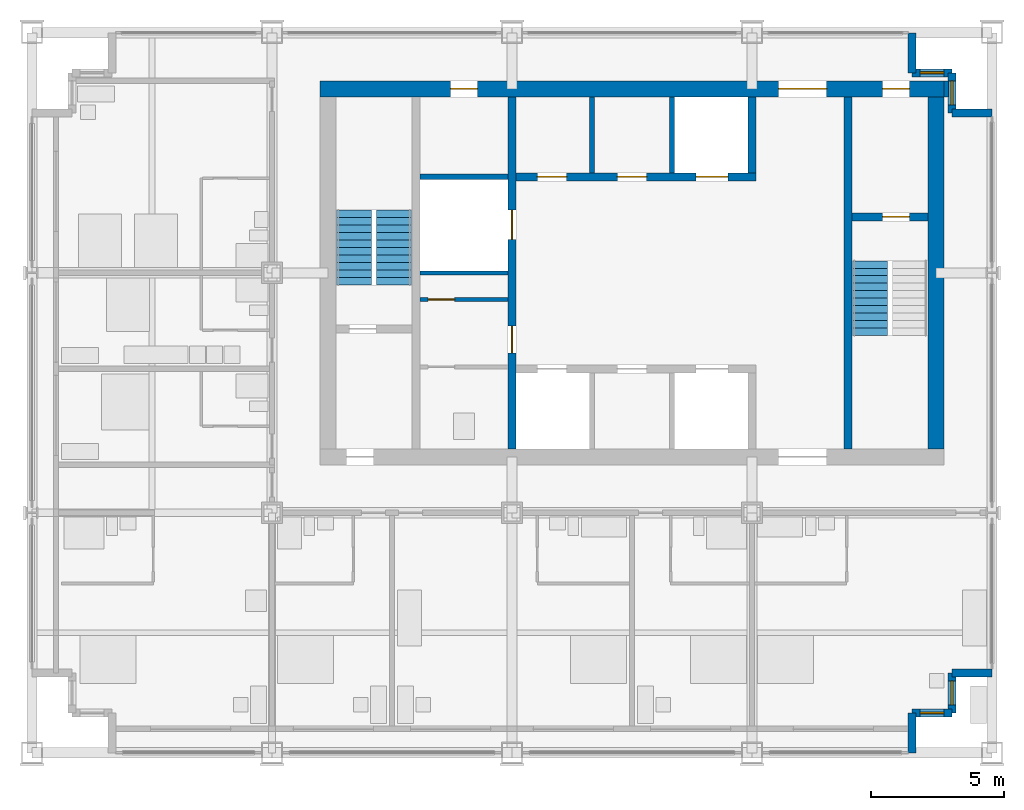
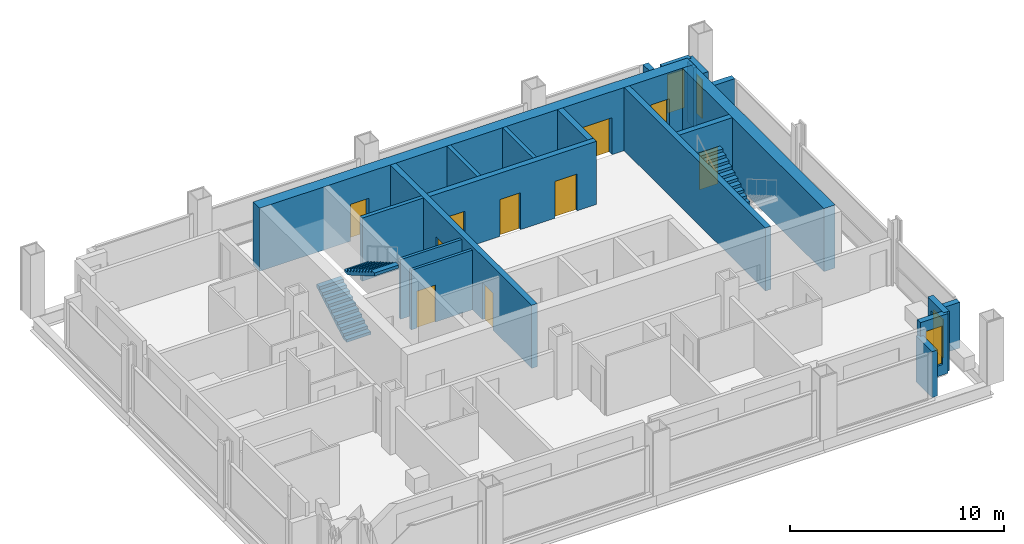
# One storey, part 8 of 12: 21 walls, 10 doors, 4 windows, 3 stair flights, 14 openings, 2 elements without a shape of their own.
"""IFC4 building model written with IfcOpenShell, lengths in metres."""

from ifc_helpers import new_model, si_unit, direction, frame, frame_2d, origin, place, context, subcontext, project, spatial, polyline, rectangle, outline, extrude, material, layer, layer_set, type_object, element, fill, aggregate, save


model = new_model("IFC4")

# Units and contexts
model_context = context("Model", 3, precision=1e-05, world=origin(), true_north=direction((0.0, 1.0)))
body_context = subcontext(model_context, "Body", "Model", "MODEL_VIEW")
ifc_project = project(units=[si_unit("LENGTHUNIT", "METRE"), si_unit("AREAUNIT", "SQUARE_METRE"), si_unit("VOLUMEUNIT", "CUBIC_METRE"), si_unit("PLANEANGLEUNIT", "RADIAN"), si_unit("MASSUNIT", "GRAM", prefix="KILO")], contexts=[model_context])

# Site, building, storey
site_placement = place(None, origin())
site = spatial("IfcSite", under=ifc_project, at=site_placement, CompositionType="ELEMENT")
building_placement = place(site_placement, origin())
building = spatial("IfcBuilding", under=site, at=building_placement, Name="Loomwork Tower", CompositionType="ELEMENT")
storey_placement = place(building_placement, frame((0.0, 0.0, 230.199951171875)))
storey = spatial("IfcBuildingStorey", under=building, at=storey_placement, Name="L63", CompositionType="ELEMENT", Elevation=230.199951171875)

# Wall, openings, doors
ifc_material_1 = material(Name="Concrete 14000 psi (97 MPa)", Category="concrete")
ifc_layer_1 = layer(ifc_material_1, 0.300048828125)
ifc_layer_set_1 = layer_set([ifc_layer_1], Name="Core shear wall 300")
wall_type_1 = type_object("IfcWallType", Name="Core shear wall 300", PredefinedType="SHEAR", material=ifc_layer_set_1)
wall_1_placement = place(storey_placement, frame((18.0, 11.39990234375, 0.0), z_axis=(0.0, 0.0, 1.0), x_axis=(0.0, 1.0, 0.0)))
wall_1 = element("IfcWall", 1, at=wall_1_placement, inside=storey, type_object=wall_type_1, Name="Lobby west wall L63", PredefinedType="SHEAR", context=body_context, shape_type="SweptSolid", body=[
    extrude(rectangle(XDim=13.2001953125, YDim=0.300048828125, at=frame_2d((6.60009765625, 0.0))), origin(), (0.0, 0.0, 1.0), 3.60009765625),
])
opening_1_placement = place(wall_1_placement, frame((3.60009765625, 0.0, 0.0)))
opening_1 = element("IfcOpeningElement", 2, at=opening_1_placement, cuts=wall_1, Name="Opening D5", PredefinedType="OPENING", context=body_context, shape_type="SweptSolid", body=[
    extrude(rectangle(XDim=1.0, YDim=2.10009765625, at=frame_2d((0.5, 1.050048828125))), frame((0.0, 0.159912109375, 0.0), z_axis=(0.0, -1.0, 0.0), x_axis=(1.0, 0.0, 0.0)), (0.0, 0.0, 1.0), 0.320068359375),
])
opening_2_placement = place(wall_1_placement, frame((7.85009765625, 0.0, 0.0)))
opening_2 = element("IfcOpeningElement", 3, at=opening_2_placement, cuts=wall_1, Name="Opening LD1", PredefinedType="OPENING", context=body_context, shape_type="SweptSolid", body=[
    extrude(rectangle(XDim=1.10009765625, YDim=2.10009765625, at=frame_2d((0.550048828125, 1.050048828125))), frame((0.0, 0.159912109375, 0.0), z_axis=(0.0, -1.0, 0.0), x_axis=(1.0, 0.0, 0.0)), (0.0, 0.0, 1.0), 0.320068359375),
])
ifc_material_2 = material(Name="Hollow metal door and frame")
door_type_1 = type_object("IfcDoorType", Name="Lift landing door 1100", OperationType="SLIDING_TO_LEFT", PredefinedType="DOOR", material=ifc_material_2)
door_1_placement = place(opening_2_placement, origin())
door_1 = element("IfcDoor", 4, at=door_1_placement, inside=storey, type_object=door_type_1, Name="Lift landing door LC2", OperationType="SLIDING_TO_LEFT", OverallHeight=2.10009765625, OverallWidth=1.10009765625, PredefinedType="DOOR", context=body_context, shape_type="SweptSolid", body=[
    extrude(rectangle(XDim=1.10009765625, YDim=2.10009765625, at=frame_2d((0.550048828125, 1.050048828125))), frame((0.0, 0.02490234375, 0.0), z_axis=(0.0, -1.0, 0.0), x_axis=(1.0, 0.0, 0.0)), (0.0, 0.0, 1.0), 0.050048828125),
])
fill(opening_2, door_1)
ifc_material_3 = material(Name="Hollow metal door and frame")
door_type_2 = type_object("IfcDoorType", Name="Service door 1000", OperationType="SINGLE_SWING_LEFT", PredefinedType="DOOR", material=ifc_material_3)
door_2_placement = place(opening_1_placement, origin())
door_2 = element("IfcDoor", 5, at=door_2_placement, inside=storey, type_object=door_type_2, Name="Back-of-house door south", OperationType="SINGLE_SWING_LEFT", OverallHeight=2.10009765625, OverallWidth=1.0, PredefinedType="DOOR", context=body_context, shape_type="SweptSolid", body=[
    extrude(rectangle(XDim=1.0, YDim=2.10009765625, at=frame_2d((0.5, 1.050048828125))), frame((0.0, 0.02490234375, 0.0), z_axis=(0.0, -1.0, 0.0), x_axis=(1.0, 0.0, 0.0)), (0.0, 0.0, 1.0), 0.050048828125),
])
fill(opening_1, door_2)

wall_2_placement = place(storey_placement, frame((18.14990234375, 21.60009765625, 0.0), z_axis=(0.0, 0.0, 1.0), x_axis=(1.0, 0.0, 0.0)))
wall_2 = element("IfcWall", 6, at=wall_2_placement, inside=storey, type_object=wall_type_1, Name="Lift front wall north L63", PredefinedType="SHEAR", context=body_context, shape_type="SweptSolid", body=[
    extrude(rectangle(XDim=9.0, YDim=0.300048828125, at=frame_2d((4.5, 0.0))), origin(), (0.0, 0.0, 1.0), 3.60009765625),
])
opening_3_placement = place(wall_2_placement, frame((6.75, 0.0, 0.0)))
opening_3 = element("IfcOpeningElement", 7, at=opening_3_placement, cuts=wall_2, Name="Opening LD2", PredefinedType="OPENING", context=body_context, shape_type="SweptSolid", body=[
    extrude(rectangle(XDim=1.199951171875, YDim=2.10009765625, at=frame_2d((0.60009765625, 1.050048828125))), frame((0.0, 0.159912109375, 0.0), z_axis=(0.0, -1.0, 0.0), x_axis=(1.0, 0.0, 0.0)), (0.0, 0.0, 1.0), 0.320068359375),
])
opening_4_placement = place(wall_2_placement, frame((0.800048828125, 0.0, 0.0)))
opening_4 = element("IfcOpeningElement", 8, at=opening_4_placement, cuts=wall_2, Name="Opening D17", PredefinedType="OPENING", context=body_context, shape_type="SweptSolid", body=[
    extrude(rectangle(XDim=1.10009765625, YDim=2.10009765625, at=frame_2d((0.550048828125, 1.050048828125))), frame((0.0, 0.159912109375, 0.0), z_axis=(0.0, -1.0, 0.0), x_axis=(1.0, 0.0, 0.0)), (0.0, 0.0, 1.0), 0.320068359375),
])
opening_5_placement = place(wall_2_placement, frame((3.800048828125, 0.0, 0.0)))
opening_5 = element("IfcOpeningElement", 9, at=opening_5_placement, cuts=wall_2, Name="Opening D17", PredefinedType="OPENING", context=body_context, shape_type="SweptSolid", body=[
    extrude(rectangle(XDim=1.10009765625, YDim=2.10009765625, at=frame_2d((0.550048828125, 1.050048828125))), frame((0.0, 0.159912109375, 0.0), z_axis=(0.0, -1.0, 0.0), x_axis=(1.0, 0.0, 0.0)), (0.0, 0.0, 1.0), 0.320068359375),
])
ifc_material_4 = material(Name="Hollow metal door and frame")
door_type_3 = type_object("IfcDoorType", Name="Lift landing door 1200", OperationType="SLIDING_TO_LEFT", PredefinedType="DOOR", material=ifc_material_4)
door_3_placement = place(opening_3_placement, origin())
door_3 = element("IfcDoor", 10, at=door_3_placement, inside=storey, type_object=door_type_3, Name="Lift landing door LF2", OperationType="SLIDING_TO_LEFT", OverallHeight=2.10009765625, OverallWidth=1.199951171875, PredefinedType="DOOR", context=body_context, shape_type="SweptSolid", body=[
    extrude(rectangle(XDim=1.199951171875, YDim=2.10009765625, at=frame_2d((0.60009765625, 1.050048828125))), frame((0.0, 0.02490234375, 0.0), z_axis=(0.0, -1.0, 0.0), x_axis=(1.0, 0.0, 0.0)), (0.0, 0.0, 1.0), 0.050048828125),
])
fill(opening_3, door_3)
ifc_material_5 = material(Name="Hollow metal door and frame")
door_type_4 = type_object("IfcDoorType", Name="Service room door 1100", OperationType="SINGLE_SWING_LEFT", PredefinedType="DOOR", material=ifc_material_5)
door_4_placement = place(opening_4_placement, origin())
door_4 = element("IfcDoor", 11, at=door_4_placement, inside=storey, type_object=door_type_4, Name="Storage room door L63", OperationType="SINGLE_SWING_LEFT", OverallHeight=2.10009765625, OverallWidth=1.10009765625, PredefinedType="DOOR", context=body_context, shape_type="SweptSolid", body=[
    extrude(rectangle(XDim=1.10009765625, YDim=2.10009765625, at=frame_2d((0.550048828125, 1.050048828125))), frame((0.0, 0.02490234375, 0.0), z_axis=(0.0, -1.0, 0.0), x_axis=(1.0, 0.0, 0.0)), (0.0, 0.0, 1.0), 0.050048828125),
])
fill(opening_4, door_4)
door_5_placement = place(opening_5_placement, origin())
door_5 = element("IfcDoor", 12, at=door_5_placement, inside=storey, type_object=door_type_4, Name="Linen and housekeeping store door L63", OperationType="SINGLE_SWING_LEFT", OverallHeight=2.10009765625, OverallWidth=1.10009765625, PredefinedType="DOOR", context=body_context, shape_type="SweptSolid", body=[
    extrude(rectangle(XDim=1.10009765625, YDim=2.10009765625, at=frame_2d((0.550048828125, 1.050048828125))), frame((0.0, 0.02490234375, 0.0), z_axis=(0.0, -1.0, 0.0), x_axis=(1.0, 0.0, 0.0)), (0.0, 0.0, 1.0), 0.050048828125),
])
fill(opening_5, door_5)

# Walls
wall_3_placement = place(storey_placement, frame((27.0, 21.75, 0.0), z_axis=(0.0, 0.0, 1.0), x_axis=(0.0, 1.0, 0.0)))
element("IfcWall", 13, at=wall_3_placement, inside=storey, type_object=wall_type_1, Name="Lift shaft end wall north L63", PredefinedType="SHEAR", context=body_context, shape_type="SweptSolid", body=[
    extrude(rectangle(XDim=2.85009765625, YDim=0.300048828125, at=frame_2d((1.425048828125, 0.0))), origin(), (0.0, 0.0, 1.0), 3.60009765625),
])
wall_4_placement = place(storey_placement, frame((30.60009765625, 11.39990234375, 0.0), z_axis=(0.0, 0.0, 1.0), x_axis=(0.0, 1.0, 0.0)))
element("IfcWall", 14, at=wall_4_placement, inside=storey, type_object=wall_type_1, Name="Stair B west wall L63", PredefinedType="SHEAR", context=body_context, shape_type="SweptSolid", body=[
    extrude(rectangle(XDim=13.2001953125, YDim=0.300048828125, at=frame_2d((6.60009765625, 0.0))), origin(), (0.0, 0.0, 1.0), 3.60009765625),
])

# Wall, opening, door
wall_5_placement = place(storey_placement, frame((30.75, 20.10009765625, 0.0), z_axis=(0.0, 0.0, 1.0), x_axis=(1.0, 0.0, 0.0)))
wall_5 = element("IfcWall", 15, at=wall_5_placement, inside=storey, type_object=wall_type_1, Name="Stair B north wall L63", PredefinedType="SHEAR", context=body_context, shape_type="SweptSolid", body=[
    extrude(rectangle(XDim=2.85009765625, YDim=0.300048828125, at=frame_2d((1.425048828125, 0.0))), origin(), (0.0, 0.0, 1.0), 3.60009765625),
])
opening_6_placement = place(wall_5_placement, frame((1.14990234375, 0.0, 0.0)))
opening_6 = element("IfcOpeningElement", 16, at=opening_6_placement, cuts=wall_5, Name="Opening D4", PredefinedType="OPENING", context=body_context, shape_type="SweptSolid", body=[
    extrude(rectangle(XDim=1.0, YDim=2.10009765625, at=frame_2d((0.5, 1.050048828125))), frame((0.0, 0.159912109375, 0.0), z_axis=(0.0, -1.0, 0.0), x_axis=(1.0, 0.0, 0.0)), (0.0, 0.0, 1.0), 0.320068359375),
])
ifc_material_6 = material(Name="Hollow metal door and frame")
door_type_5 = type_object("IfcDoorType", Name="Stair door 1000", OperationType="SINGLE_SWING_RIGHT", PredefinedType="DOOR", material=ifc_material_6)
door_6_placement = place(opening_6_placement, frame((1.0, 0.0, 0.0), z_axis=(0.0, 0.0, 1.0), x_axis=(-1.0, 0.0, 0.0)))
door_6 = element("IfcDoor", 17, at=door_6_placement, inside=storey, type_object=door_type_5, Name="Stair B door", OperationType="SINGLE_SWING_LEFT", OverallHeight=2.10009765625, OverallWidth=1.0, PredefinedType="DOOR", context=body_context, shape_type="SweptSolid", body=[
    extrude(rectangle(XDim=1.0, YDim=2.10009765625, at=frame_2d((0.5, 1.050048828125))), frame((0.0, 0.02490234375, 0.0), z_axis=(0.0, -1.0, 0.0), x_axis=(1.0, 0.0, 0.0)), (0.0, 0.0, 1.0), 0.050048828125),
])
fill(opening_6, door_6)

# Wall, openings, doors
ifc_material_7 = material(Name="Concrete 14000 psi (97 MPa)", Category="concrete")
ifc_layer_2 = layer(ifc_material_7, 0.60009765625)
ifc_layer_set_2 = layer_set([ifc_layer_2], Name="Core shear wall 600")
wall_type_2 = type_object("IfcWallType", Name="Core shear wall 600", PredefinedType="SHEAR", material=ifc_layer_set_2)
wall_6_placement = place(storey_placement, frame((10.800048828125, 24.89990234375, 0.0), z_axis=(0.0, 0.0, 1.0), x_axis=(1.0, 0.0, 0.0)))
wall_6 = element("IfcWall", 18, at=wall_6_placement, inside=storey, type_object=wall_type_2, Name="Core wall north L63", PredefinedType="SHEAR", context=body_context, shape_type="SweptSolid", body=[
    extrude(rectangle(XDim=23.39990234375, YDim=0.60009765625, at=frame_2d((11.699951171875, 0.0))), origin(), (0.0, 0.0, 1.0), 3.60009765625),
])
opening_7_placement = place(wall_6_placement, frame((17.199951171875, 0.0, 0.0)))
opening_7 = element("IfcOpeningElement", 19, at=opening_7_placement, cuts=wall_6, Name="Opening D6", PredefinedType="OPENING", context=body_context, shape_type="SweptSolid", body=[
    extrude(rectangle(XDim=1.800048828125, YDim=2.10009765625, at=frame_2d((0.89990234375, 1.050048828125))), frame((0.0, 0.31005859375, 0.0), z_axis=(0.0, -1.0, 0.0), x_axis=(1.0, 0.0, 0.0)), (0.0, 0.0, 1.0), 0.6201171875),
])
opening_8_placement = place(wall_6_placement, frame((21.10009765625, 0.0, 0.0)))
opening_8 = element("IfcOpeningElement", 20, at=opening_8_placement, cuts=wall_6, Name="Opening D4", PredefinedType="OPENING", context=body_context, shape_type="SweptSolid", body=[
    extrude(rectangle(XDim=1.0, YDim=2.10009765625, at=frame_2d((0.5, 1.050048828125))), frame((0.0, 0.31005859375, 0.0), z_axis=(0.0, -1.0, 0.0), x_axis=(1.0, 0.0, 0.0)), (0.0, 0.0, 1.0), 0.6201171875),
])
opening_9_placement = place(wall_6_placement, frame((4.89990234375, 0.0, 0.0)))
opening_9 = element("IfcOpeningElement", 21, at=opening_9_placement, cuts=wall_6, Name="Opening D5", PredefinedType="OPENING", context=body_context, shape_type="SweptSolid", body=[
    extrude(rectangle(XDim=1.0, YDim=2.10009765625, at=frame_2d((0.5, 1.050048828125))), frame((0.0, 0.31005859375, 0.0), z_axis=(0.0, -1.0, 0.0), x_axis=(1.0, 0.0, 0.0)), (0.0, 0.0, 1.0), 0.6201171875),
])
ifc_material_8 = material(Name="Hollow metal door and frame")
door_type_6 = type_object("IfcDoorType", Name="Lobby passage double door 1800", OperationType="DOUBLE_DOOR_SINGLE_SWING", PredefinedType="DOOR", material=ifc_material_8)
door_7_placement = place(opening_7_placement, frame((1.800048828125, 0.0, 0.0), z_axis=(0.0, 0.0, 1.0), x_axis=(-1.0, 0.0, 0.0)))
door_7 = element("IfcDoor", 22, at=door_7_placement, inside=storey, type_object=door_type_6, Name="Lobby passage door north", OperationType="DOUBLE_DOOR_SINGLE_SWING", OverallHeight=2.10009765625, OverallWidth=1.800048828125, PredefinedType="DOOR", context=body_context, shape_type="SweptSolid", body=[
    extrude(rectangle(XDim=1.800048828125, YDim=2.10009765625, at=frame_2d((0.89990234375, 1.050048828125))), frame((0.0, 0.02490234375, 0.0), z_axis=(0.0, -1.0, 0.0), x_axis=(1.0, 0.0, 0.0)), (0.0, 0.0, 1.0), 0.050048828125),
])
fill(opening_7, door_7)
door_8_placement = place(opening_9_placement, frame((1.0, 0.0, 0.0), z_axis=(0.0, 0.0, 1.0), x_axis=(-1.0, 0.0, 0.0)))
door_8 = element("IfcDoor", 23, at=door_8_placement, inside=storey, type_object=door_type_2, Name="Back-of-house door north", OperationType="SINGLE_SWING_LEFT", OverallHeight=2.10009765625, OverallWidth=1.0, PredefinedType="DOOR", context=body_context, shape_type="SweptSolid", body=[
    extrude(rectangle(XDim=1.0, YDim=2.10009765625, at=frame_2d((0.5, 1.050048828125))), frame((0.0, 0.02490234375, 0.0), z_axis=(0.0, -1.0, 0.0), x_axis=(1.0, 0.0, 0.0)), (0.0, 0.0, 1.0), 0.050048828125),
])
fill(opening_9, door_8)
door_9_placement = place(opening_8_placement, frame((1.0, 0.0, 0.0), z_axis=(0.0, 0.0, 1.0), x_axis=(-1.0, 0.0, 0.0)))
door_9 = element("IfcDoor", 24, at=door_9_placement, inside=storey, type_object=door_type_5, Name="Stair B vestibule door", OperationType="SINGLE_SWING_LEFT", OverallHeight=2.10009765625, OverallWidth=1.0, PredefinedType="DOOR", context=body_context, shape_type="SweptSolid", body=[
    extrude(rectangle(XDim=1.0, YDim=2.10009765625, at=frame_2d((0.5, 1.050048828125))), frame((0.0, 0.02490234375, 0.0), z_axis=(0.0, -1.0, 0.0), x_axis=(1.0, 0.0, 0.0)), (0.0, 0.0, 1.0), 0.050048828125),
])
fill(opening_8, door_9)

# Walls
wall_7_placement = place(storey_placement, frame((33.89990234375, 11.39990234375, 0.0), z_axis=(0.0, 0.0, 1.0), x_axis=(0.0, 1.0, 0.0)))
element("IfcWall", 25, at=wall_7_placement, inside=storey, type_object=wall_type_2, Name="Core wall east L63", PredefinedType="SHEAR", context=body_context, shape_type="SweptSolid", body=[
    extrude(rectangle(XDim=13.2001953125, YDim=0.60009765625, at=frame_2d((6.60009765625, 0.0))), origin(), (0.0, 0.0, 1.0), 3.60009765625),
])
ifc_material_9 = material(Name="Concrete 14000 psi (97 MPa)", Category="concrete")
ifc_layer_3 = layer(ifc_material_9, 0.199951171875)
ifc_layer_set_3 = layer_set([ifc_layer_3], Name="Lift shaft wall 200")
wall_type_3 = type_object("IfcWallType", Name="Lift shaft wall 200", PredefinedType="SHEAR", material=ifc_layer_set_3)
for number, where, z_axis, x_axis, name in (
    (26, (21.0, 21.75, 0.0), (0.0, 0.0, 1.0), (0.0, 1.0, 0.0), "Lift shaft separation wall north 1 L63"),
    (27, (24.0, 21.75, 0.0), (0.0, 0.0, 1.0), (0.0, 1.0, 0.0), "Lift shaft separation wall north 2 L63"),
):
    element("IfcWall", number, at=place(storey_placement, frame(where, z_axis=z_axis, x_axis=x_axis)), inside=storey, type_object=wall_type_3, Name=name, PredefinedType="SHEAR", context=body_context, shape_type="SweptSolid", body=[
        extrude(rectangle(XDim=2.85009765625, YDim=0.199951171875, at=frame_2d((1.425048828125, 0.0))), origin(), (0.0, 0.0, 1.0), 3.60009765625),
    ])
wall_8_placement = place(storey_placement, frame((14.550048828125, 21.60009765625, 0.0), z_axis=(0.0, 0.0, 1.0), x_axis=(1.0, 0.0, 0.0)))
element("IfcWall", 28, at=wall_8_placement, inside=storey, type_object=wall_type_3, Name="Lift shaft wall west north L63", PredefinedType="SHEAR", context=body_context, shape_type="SweptSolid", body=[
    extrude(rectangle(XDim=3.300048828125, YDim=0.199951171875, at=frame_2d((1.64990234375, 0.0))), origin(), (0.0, 0.0, 1.0), 3.60009765625),
])
ifc_material_10 = material(Name="Limestone on concrete masonry", Category="masonry")
ifc_layer_4 = layer(ifc_material_10, 0.300048828125)
ifc_layer_set_4 = layer_set([ifc_layer_4], Name="Limestone corner wall 300")
wall_type_4 = type_object("IfcWallType", Name="Limestone corner wall 300", PredefinedType="SOLIDWALL", material=ifc_layer_set_4)
wall_9_placement = place(storey_placement, frame((33.0, 0.0, 0.0), z_axis=(0.0, 0.0, 1.0), x_axis=(0.0, 1.0, 0.0)))
element("IfcWall", 29, at=wall_9_placement, inside=storey, type_object=wall_type_4, Name="Stone corner wall SE 1", PredefinedType="SOLIDWALL", context=body_context, shape_type="SweptSolid", body=[
    extrude(rectangle(XDim=1.5, YDim=0.300048828125, at=frame_2d((0.75, 0.0))), origin(), (0.0, 0.0, 1.0), 2.6201171875),
])

# Wall, opening, window
wall_10_placement = place(storey_placement, frame((33.0, 1.5, 0.0), z_axis=(0.0, 0.0, 1.0), x_axis=(1.0, 0.0, 0.0)))
wall_10 = element("IfcWall", 30, at=wall_10_placement, inside=storey, type_object=wall_type_4, Name="Stone corner wall SE 2", PredefinedType="SOLIDWALL", context=body_context, shape_type="SweptSolid", body=[
    extrude(rectangle(XDim=1.5, YDim=0.300048828125, at=frame_2d((0.75, 0.0))), origin(), (0.0, 0.0, 1.0), 3.400146484375),
])
opening_10_placement = place(wall_10_placement, frame((0.300048828125, 0.0, 0.60009765625)))
opening_10 = element("IfcOpeningElement", 31, at=opening_10_placement, cuts=wall_10, Name="Opening CH2", PredefinedType="OPENING", context=body_context, shape_type="SweptSolid", body=[
    extrude(rectangle(XDim=0.89990234375, YDim=2.199951171875, at=frame_2d((0.449951171875, 1.10009765625))), frame((0.0, 0.159912109375, 0.0), z_axis=(0.0, -1.0, 0.0), x_axis=(1.0, 0.0, 0.0)), (0.0, 0.0, 1.0), 0.320068359375),
])
ifc_material_11 = material(Name="Aluminium frame with clear insulated glass", Category="aluminium")
window_type = type_object("IfcWindowType", Name="Corner window 900", PartitioningType="SINGLE_PANEL", PredefinedType="WINDOW", material=ifc_material_11)
window_1_placement = place(opening_10_placement, origin())
window_1 = element("IfcWindow", 32, at=window_1_placement, inside=storey, type_object=window_type, Name="Corner window SE", OverallHeight=2.199951171875, OverallWidth=0.89990234375, PartitioningType="SINGLE_PANEL", PredefinedType="WINDOW", context=body_context, shape_type="SweptSolid", body=[
    extrude(rectangle(XDim=0.89990234375, YDim=2.199951171875, at=frame_2d((0.449951171875, 1.10009765625))), frame((0.0, 0.030029296875, 0.0), z_axis=(0.0, -1.0, 0.0), x_axis=(1.0, 0.0, 0.0)), (0.0, 0.0, 1.0), 0.06005859375),
])
fill(opening_10, window_1)

wall_11_placement = place(storey_placement, frame((34.5, 1.5, 0.0), z_axis=(0.0, 0.0, 1.0), x_axis=(0.0, 1.0, 0.0)))
wall_11 = element("IfcWall", 33, at=wall_11_placement, inside=storey, type_object=wall_type_4, Name="Stone corner wall SE 3", PredefinedType="SOLIDWALL", context=body_context, shape_type="SweptSolid", body=[
    extrude(rectangle(XDim=1.5, YDim=0.300048828125, at=frame_2d((0.75, 0.0))), origin(), (0.0, 0.0, 1.0), 3.400146484375),
])
opening_11_placement = place(wall_11_placement, frame((0.300048828125, 0.0, 0.60009765625)))
opening_11 = element("IfcOpeningElement", 34, at=opening_11_placement, cuts=wall_11, Name="Opening CH2", PredefinedType="OPENING", context=body_context, shape_type="SweptSolid", body=[
    extrude(rectangle(XDim=0.89990234375, YDim=2.199951171875, at=frame_2d((0.449951171875, 1.10009765625))), frame((0.0, 0.159912109375, 0.0), z_axis=(0.0, -1.0, 0.0), x_axis=(1.0, 0.0, 0.0)), (0.0, 0.0, 1.0), 0.320068359375),
])
window_2_placement = place(opening_11_placement, origin())
window_2 = element("IfcWindow", 35, at=window_2_placement, inside=storey, type_object=window_type, Name="Corner window SE", OverallHeight=2.199951171875, OverallWidth=0.89990234375, PartitioningType="SINGLE_PANEL", PredefinedType="WINDOW", context=body_context, shape_type="SweptSolid", body=[
    extrude(rectangle(XDim=0.89990234375, YDim=2.199951171875, at=frame_2d((0.449951171875, 1.10009765625))), frame((0.0, 0.030029296875, 0.0), z_axis=(0.0, -1.0, 0.0), x_axis=(1.0, 0.0, 0.0)), (0.0, 0.0, 1.0), 0.06005859375),
])
fill(opening_11, window_2)

# Walls
for number, where, z_axis, x_axis, name in (
    (36, (34.5, 3.0, 0.0), (0.0, 0.0, 1.0), (1.0, 0.0, 0.0), "Stone corner wall SE 4"),
    (37, (36.0, 24.0, 0.0), (0.0, 0.0, 1.0), (-1.0, 0.0, 0.0), "Stone corner wall NE 1"),
):
    element("IfcWall", number, at=place(storey_placement, frame(where, z_axis=z_axis, x_axis=x_axis)), inside=storey, type_object=wall_type_4, Name=name, PredefinedType="SOLIDWALL", context=body_context, shape_type="SweptSolid", body=[
        extrude(rectangle(XDim=1.5, YDim=0.300048828125, at=frame_2d((0.75, 0.0))), origin(), (0.0, 0.0, 1.0), 2.6201171875),
    ])

# Wall, opening, window
wall_12_placement = place(storey_placement, frame((34.5, 24.0, 0.0), z_axis=(0.0, 0.0, 1.0), x_axis=(0.0, 1.0, 0.0)))
wall_12 = element("IfcWall", 38, at=wall_12_placement, inside=storey, type_object=wall_type_4, Name="Stone corner wall NE 2", PredefinedType="SOLIDWALL", context=body_context, shape_type="SweptSolid", body=[
    extrude(rectangle(XDim=1.5, YDim=0.300048828125, at=frame_2d((0.75, 0.0))), origin(), (0.0, 0.0, 1.0), 3.400146484375),
])
opening_12_placement = place(wall_12_placement, frame((0.300048828125, 0.0, 0.60009765625)))
opening_12 = element("IfcOpeningElement", 39, at=opening_12_placement, cuts=wall_12, Name="Opening CH2", PredefinedType="OPENING", context=body_context, shape_type="SweptSolid", body=[
    extrude(rectangle(XDim=0.89990234375, YDim=2.199951171875, at=frame_2d((0.449951171875, 1.10009765625))), frame((0.0, 0.159912109375, 0.0), z_axis=(0.0, -1.0, 0.0), x_axis=(1.0, 0.0, 0.0)), (0.0, 0.0, 1.0), 0.320068359375),
])
window_3_placement = place(opening_12_placement, origin())
window_3 = element("IfcWindow", 40, at=window_3_placement, inside=storey, type_object=window_type, Name="Corner window NE", OverallHeight=2.199951171875, OverallWidth=0.89990234375, PartitioningType="SINGLE_PANEL", PredefinedType="WINDOW", context=body_context, shape_type="SweptSolid", body=[
    extrude(rectangle(XDim=0.89990234375, YDim=2.199951171875, at=frame_2d((0.449951171875, 1.10009765625))), frame((0.0, 0.030029296875, 0.0), z_axis=(0.0, -1.0, 0.0), x_axis=(1.0, 0.0, 0.0)), (0.0, 0.0, 1.0), 0.06005859375),
])
fill(opening_12, window_3)

wall_13_placement = place(storey_placement, frame((34.5, 25.5, 0.0), z_axis=(0.0, 0.0, 1.0), x_axis=(-1.0, 0.0, 0.0)))
wall_13 = element("IfcWall", 41, at=wall_13_placement, inside=storey, type_object=wall_type_4, Name="Stone corner wall NE 3", PredefinedType="SOLIDWALL", context=body_context, shape_type="SweptSolid", body=[
    extrude(rectangle(XDim=1.5, YDim=0.300048828125, at=frame_2d((0.75, 0.0))), origin(), (0.0, 0.0, 1.0), 3.400146484375),
])
opening_13_placement = place(wall_13_placement, frame((0.300048828125, 0.0, 0.60009765625)))
opening_13 = element("IfcOpeningElement", 42, at=opening_13_placement, cuts=wall_13, Name="Opening CH2", PredefinedType="OPENING", context=body_context, shape_type="SweptSolid", body=[
    extrude(rectangle(XDim=0.89990234375, YDim=2.199951171875, at=frame_2d((0.449951171875, 1.10009765625))), frame((0.0, 0.159912109375, 0.0), z_axis=(0.0, -1.0, 0.0), x_axis=(1.0, 0.0, 0.0)), (0.0, 0.0, 1.0), 0.320068359375),
])
window_4_placement = place(opening_13_placement, origin())
window_4 = element("IfcWindow", 43, at=window_4_placement, inside=storey, type_object=window_type, Name="Corner window NE", OverallHeight=2.199951171875, OverallWidth=0.89990234375, PartitioningType="SINGLE_PANEL", PredefinedType="WINDOW", context=body_context, shape_type="SweptSolid", body=[
    extrude(rectangle(XDim=0.89990234375, YDim=2.199951171875, at=frame_2d((0.449951171875, 1.10009765625))), frame((0.0, 0.030029296875, 0.0), z_axis=(0.0, -1.0, 0.0), x_axis=(1.0, 0.0, 0.0)), (0.0, 0.0, 1.0), 0.06005859375),
])
fill(opening_13, window_4)

# Walls
wall_14_placement = place(storey_placement, frame((33.0, 25.5, 0.0), z_axis=(0.0, 0.0, 1.0), x_axis=(0.0, 1.0, 0.0)))
element("IfcWall", 44, at=wall_14_placement, inside=storey, type_object=wall_type_4, Name="Stone corner wall NE 4", PredefinedType="SOLIDWALL", context=body_context, shape_type="SweptSolid", body=[
    extrude(rectangle(XDim=1.5, YDim=0.300048828125, at=frame_2d((0.75, 0.0))), origin(), (0.0, 0.0, 1.0), 2.6201171875),
])
ifc_material_12 = material(Name="Gypsum board on steel studs", Category="steel")
ifc_layer_5 = layer(ifc_material_12, 0.14990234375)
ifc_layer_set_5 = layer_set([ifc_layer_5], Name="Partition 150 two-hour")
wall_type_5 = type_object("IfcWallType", Name="Partition 150 two-hour", PredefinedType="PARTITIONING", material=ifc_layer_set_5)
wall_15_placement = place(storey_placement, frame((14.550048828125, 18.0, 0.0), z_axis=(0.0, 0.0, 1.0), x_axis=(1.0, 0.0, 0.0)))
element("IfcWall", 45, at=wall_15_placement, inside=storey, type_object=wall_type_5, Name="Back-of-house dividing wall L63", PredefinedType="PARTITIONING", context=body_context, shape_type="SweptSolid", body=[
    extrude(rectangle(XDim=3.300048828125, YDim=0.14990234375, at=frame_2d((1.64990234375, 0.0))), origin(), (0.0, 0.0, 1.0), 3.400146484375),
])
ifc_material_13 = material(Name="Gypsum board on steel studs, one-hour", Category="steel")
ifc_layer_6 = layer(ifc_material_13, 0.14990234375)
ifc_layer_set_6 = layer_set([ifc_layer_6], Name="Service partition 150")
wall_type_6 = type_object("IfcWallType", Name="Service partition 150", PredefinedType="PARTITIONING", material=ifc_layer_set_6)
wall_16_placement = place(storey_placement, frame((34.199951171875, 24.89990234375, 0.0), z_axis=(0.0, 0.0, 1.0), x_axis=(1.0, 0.0, 0.0)))
element("IfcWall", 46, at=wall_16_placement, inside=storey, type_object=wall_type_6, Name="Core wall infill L63", PredefinedType="PARTITIONING", context=body_context, shape_type="SweptSolid", body=[
    extrude(rectangle(XDim=0.16015625, YDim=0.60009765625, at=frame_2d((0.080078125, 0.0))), origin(), (0.0, 0.0, 1.0), 3.400146484375),
])

# Wall, opening, door
wall_17_placement = place(storey_placement, frame((14.550048828125, 17.0, 0.0), z_axis=(0.0, 0.0, 1.0), x_axis=(1.0, 0.0, 0.0)))
wall_17 = element("IfcWall", 47, at=wall_17_placement, inside=storey, type_object=wall_type_6, Name="Riser enclosure L63", PredefinedType="PARTITIONING", context=body_context, shape_type="SweptSolid", body=[
    extrude(rectangle(XDim=3.300048828125, YDim=0.14990234375, at=frame_2d((1.64990234375, 0.0))), origin(), (0.0, 0.0, 1.0), 3.400146484375),
])
opening_14_placement = place(wall_17_placement, frame((0.300048828125, 0.0, 0.0)))
opening_14 = element("IfcOpeningElement", 48, at=opening_14_placement, cuts=wall_17, Name="Opening D18", PredefinedType="OPENING", context=body_context, shape_type="SweptSolid", body=[
    extrude(rectangle(XDim=1.0, YDim=2.10009765625, at=frame_2d((0.5, 1.050048828125))), frame((0.0, 0.0849609375, 0.0), z_axis=(0.0, -1.0, 0.0), x_axis=(1.0, 0.0, 0.0)), (0.0, 0.0, 1.0), 0.169921875),
])
ifc_material_14 = material(Name="Hollow metal door and frame")
door_type_7 = type_object("IfcDoorType", Name="Ninety-minute service door 1000", OperationType="SINGLE_SWING_LEFT", PredefinedType="DOOR", material=ifc_material_14)
door_10_placement = place(opening_14_placement, frame((1.0, 0.0, 0.0), z_axis=(0.0, 0.0, 1.0), x_axis=(-1.0, 0.0, 0.0)))
door_10 = element("IfcDoor", 49, at=door_10_placement, inside=storey, type_object=door_type_7, Name="Riser access door", OperationType="SINGLE_SWING_RIGHT", OverallHeight=2.10009765625, OverallWidth=1.0, PredefinedType="DOOR", context=body_context, shape_type="SweptSolid", body=[
    extrude(rectangle(XDim=1.0, YDim=2.10009765625, at=frame_2d((0.5, 1.050048828125))), frame((0.0, 0.02490234375, 0.0), z_axis=(0.0, -1.0, 0.0), x_axis=(1.0, 0.0, 0.0)), (0.0, 0.0, 1.0), 0.050048828125),
])
fill(opening_14, door_10)

# Stair, stair flights
ifc_material_15 = material(Name="Concrete 5000 psi (34 MPa) precast stair", Category="concrete")
stair_type_1 = type_object("IfcStairType", Name="Stair ST-A 22 risers 2850 wide", PredefinedType="HALF_TURN_STAIR", material=ifc_material_15)
stair_1_placement = place(storey_placement, origin())
stair_1 = element("IfcStair", 50, at=stair_1_placement, inside=storey, type_object=stair_type_1, Name="Stair A L63", PredefinedType="HALF_TURN_STAIR")
ifc_material_16 = material(Name="Concrete 5000 psi (34 MPa) precast stair", Category="concrete")
stair_flight_type_1 = type_object("IfcStairFlightType", Name="Stair flight ST-A 11 risers 1300 wide", PredefinedType="STRAIGHT", material=ifc_material_16)
stair_flight_1_placement = place(storey_placement, frame((12.074951171875, 17.550048828125, 0.0), z_axis=(0.0, 0.0, 1.0), x_axis=(0.0, 1.0, 0.0)))
stair_flight_1 = element("IfcStairFlight", 51, at=stair_flight_1_placement, type_object=stair_flight_type_1, Name="ST-A flight 1", NumberOfRisers=11, NumberOfTreads=10, PredefinedType="STRAIGHT", RiserHeight=0.163636364, TreadLength=0.28, context=body_context, shape_type="SweptSolid", body=[
    extrude(outline(polyline([(0.0, 0.0), (0.0, 0.16357421875), (0.280029296875, 0.16357421875), (0.280029296875, 0.327392578125), (0.56005859375, 0.327392578125), (0.56005859375, 0.490966796875), (0.840087890625, 0.490966796875), (0.840087890625, 0.654541015625), (1.1201171875, 0.654541015625), (1.1201171875, 0.818115234375), (1.39990234375, 0.818115234375), (1.39990234375, 0.98193359375), (1.679931640625, 0.98193359375), (1.679931640625, 1.1455078125), (1.9599609375, 1.1455078125), (1.9599609375, 1.30908203125), (2.239990234375, 1.30908203125), (2.239990234375, 1.47265625), (2.52001953125, 1.47265625), (2.52001953125, 1.636474609375), (2.800048828125, 1.636474609375), (2.800048828125, 1.800048828125), (2.800048828125, 1.462646484375), (0.297119140625, 0.0), (0.0, 0.0)])), frame((0.0, 0.64990234375, 0.0), z_axis=(0.0, -1.0, 0.0), x_axis=(1.0, 0.0, 0.0)), (0.0, 0.0, 1.0), 1.300048828125),
])
stair_flight_2_placement = place(storey_placement, frame((13.574951171875, 20.35009765625, 1.800048828125), z_axis=(0.0, 0.0, 1.0), x_axis=(0.0, -1.0, 0.0)))
stair_flight_2 = element("IfcStairFlight", 52, at=stair_flight_2_placement, type_object=stair_flight_type_1, Name="ST-A flight 2", NumberOfRisers=11, NumberOfTreads=10, PredefinedType="STRAIGHT", RiserHeight=0.163636364, TreadLength=0.28, context=body_context, shape_type="SweptSolid", body=[
    extrude(outline(polyline([(0.0, 0.0), (0.0, 0.16357421875), (0.280029296875, 0.16357421875), (0.280029296875, 0.327392578125), (0.56005859375, 0.327392578125), (0.56005859375, 0.490966796875), (0.840087890625, 0.490966796875), (0.840087890625, 0.654541015625), (1.1201171875, 0.654541015625), (1.1201171875, 0.818115234375), (1.39990234375, 0.818115234375), (1.39990234375, 0.98193359375), (1.679931640625, 0.98193359375), (1.679931640625, 1.1455078125), (1.9599609375, 1.1455078125), (1.9599609375, 1.30908203125), (2.239990234375, 1.30908203125), (2.239990234375, 1.47265625), (2.52001953125, 1.47265625), (2.52001953125, 1.636474609375), (2.800048828125, 1.636474609375), (2.800048828125, 1.800048828125), (2.800048828125, 1.462646484375), (0.297119140625, 0.0), (0.0, 0.0)])), frame((0.0, 0.64990234375, 0.0), z_axis=(0.0, -1.0, 0.0), x_axis=(1.0, 0.0, 0.0)), (0.0, 0.0, 1.0), 1.300048828125),
])
aggregate(stair_1, [stair_flight_1, stair_flight_2])

# Stair, stair flight
ifc_material_17 = material(Name="Concrete 5000 psi (34 MPa) precast stair", Category="concrete")
stair_type_2 = type_object("IfcStairType", Name="Stair ST-B 22 risers 2850 wide", PredefinedType="HALF_TURN_STAIR", material=ifc_material_17)
stair_2_placement = place(storey_placement, origin())
stair_2 = element("IfcStair", 53, at=stair_2_placement, inside=storey, type_object=stair_type_2, Name="Stair B L63", PredefinedType="HALF_TURN_STAIR")
ifc_material_18 = material(Name="Concrete 5000 psi (34 MPa) precast stair", Category="concrete")
stair_flight_type_2 = type_object("IfcStairFlightType", Name="Stair flight ST-B 11 risers 1300 wide", PredefinedType="STRAIGHT", material=ifc_material_18)
stair_flight_3_placement = place(storey_placement, frame((31.425048828125, 15.64990234375, 1.800048828125), z_axis=(0.0, 0.0, 1.0), x_axis=(0.0, 1.0, 0.0)))
stair_flight_3 = element("IfcStairFlight", 54, at=stair_flight_3_placement, type_object=stair_flight_type_2, Name="ST-B flight 2", NumberOfRisers=11, NumberOfTreads=10, PredefinedType="STRAIGHT", RiserHeight=0.163636364, TreadLength=0.28, context=body_context, shape_type="SweptSolid", body=[
    extrude(outline(polyline([(0.0, 0.0), (0.0, 0.16357421875), (0.280029296875, 0.16357421875), (0.280029296875, 0.327392578125), (0.56005859375, 0.327392578125), (0.56005859375, 0.490966796875), (0.840087890625, 0.490966796875), (0.840087890625, 0.654541015625), (1.1201171875, 0.654541015625), (1.1201171875, 0.818115234375), (1.39990234375, 0.818115234375), (1.39990234375, 0.98193359375), (1.679931640625, 0.98193359375), (1.679931640625, 1.1455078125), (1.9599609375, 1.1455078125), (1.9599609375, 1.30908203125), (2.239990234375, 1.30908203125), (2.239990234375, 1.47265625), (2.52001953125, 1.47265625), (2.52001953125, 1.636474609375), (2.800048828125, 1.636474609375), (2.800048828125, 1.800048828125), (2.800048828125, 1.462646484375), (0.297119140625, 0.0), (0.0, 0.0)])), frame((0.0, 0.64990234375, 0.0), z_axis=(0.0, -1.0, 0.0), x_axis=(1.0, 0.0, 0.0)), (0.0, 0.0, 1.0), 1.300048828125),
])
aggregate(stair_2, [stair_flight_3])

save(model, "model.ifc")
